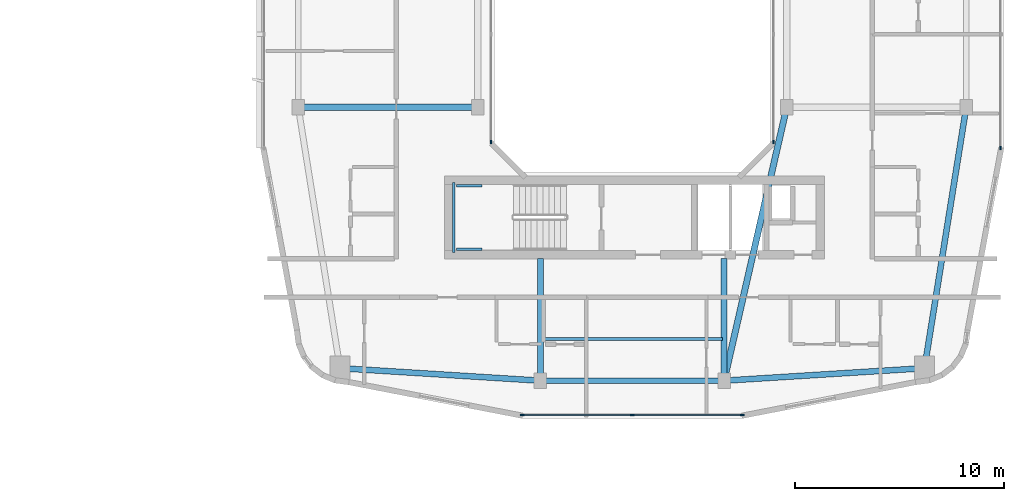
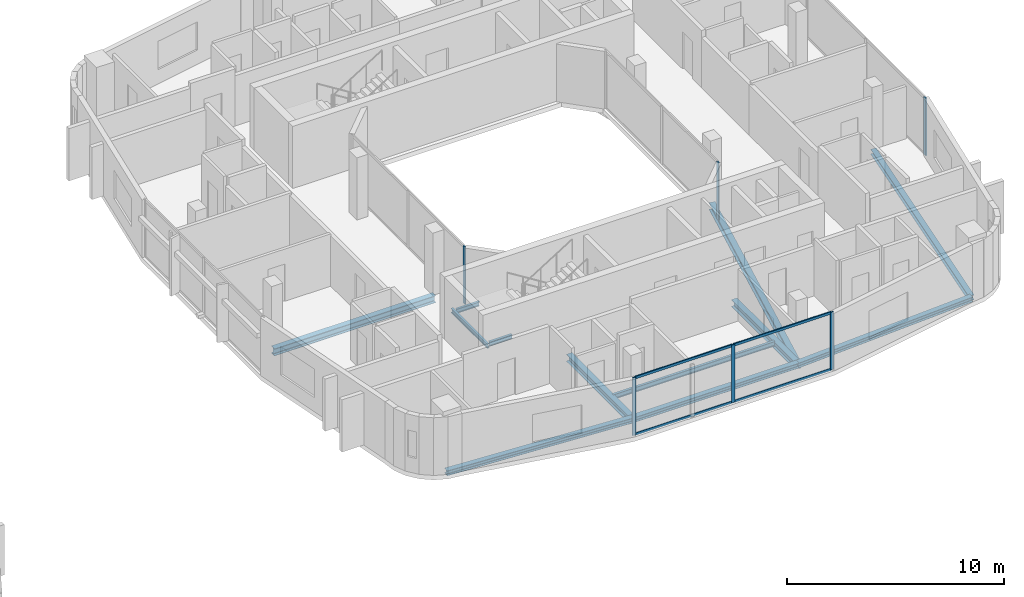
# One storey, part 8 of 26: 12 beams, 10 members, 4 elements without a shape of their own.
"""IFC4 building model written with IfcOpenShell, lengths in metres."""

from ifc_helpers import new_model, si_unit, derived_unit, direction, frame, origin, origin_2d, place, context, subcontext, project, spatial, rectangle, i_section, extrude, material, layer, layer_set, material_profile, profile_set, type_object, element, aggregate, save


model = new_model("IFC4")

# Units and contexts
model_context = context("Model", 3, precision=1e-05, world=origin(), true_north=direction((0.0, 1.0)))
body_context = subcontext(model_context, "Body", "Model", "MODEL_VIEW")
ifc_project = project(units=[si_unit("LENGTHUNIT", "METRE"), si_unit("AREAUNIT", "SQUARE_METRE"), si_unit("VOLUMEUNIT", "CUBIC_METRE"), si_unit("PLANEANGLEUNIT", "RADIAN"), si_unit("MASSUNIT", "GRAM", prefix="KILO"), derived_unit("THERMALTRANSMITTANCEUNIT", [(si_unit("POWERUNIT", "WATT"), 1), (si_unit("LENGTHUNIT", "METRE"), -2), (si_unit("THERMODYNAMICTEMPERATUREUNIT", "KELVIN"), -1)])], contexts=[model_context])

# Site, building, storey
site_placement = place(None, origin())
site = spatial("IfcSite", under=ifc_project, at=site_placement, CompositionType="ELEMENT")
building_placement = place(site_placement, origin())
building = spatial("IfcBuilding", under=site, at=building_placement, Name="Kivonza Crest Hotel", CompositionType="ELEMENT")
storey_placement = place(building_placement, frame((0.0, 0.0, 98.5)))
storey = spatial("IfcBuildingStorey", under=building, at=storey_placement, Name="L26", CompositionType="ELEMENT", Elevation=98.5)

# Beams
ifc_material_1 = material(Name="Steel S355", Category="steel")
ifc_material_profile_1 = material_profile(ifc_material_1, i_section(OverallWidth=0.280029296875, OverallDepth=0.280029296875, WebThickness=0.010498046875, FlangeThickness=0.01806640625, FilletRadius=0.02392578125, at=origin_2d()), Name="HEB 280")
ifc_profile_set_1 = profile_set([ifc_material_profile_1], Name="Steel S355")
beam_type_1 = type_object("IfcBeamType", Name="BM-HEB280", PredefinedType="SPANDREL", material=ifc_profile_set_1)
beam_1_placement = place(storey_placement, frame((72.60009765625, 8.39990234375, -0.389892578125), z_axis=(1.0, 0.0, 0.0), x_axis=(0.0, 1.0, 0.0)))
element("IfcBeam", 1, at=beam_1_placement, inside=storey, type_object=beam_type_1, Name="Companion Tower T2 L26 perimeter spandrel S1-S2", PredefinedType="SPANDREL", context=body_context, shape_type="SweptSolid", body=[
    extrude(i_section(OverallWidth=0.280029296875, OverallDepth=0.280029296875, WebThickness=0.010498046875, FlangeThickness=0.01806640625, FilletRadius=0.02392578125, at=origin_2d()), origin(), (0.0, 0.0, 1.0), 8.7998046875),
])
beam_2_placement = place(storey_placement, frame((81.39990234375, 8.39990234375, -0.389892578125), z_axis=(0.998051985873, 0.062387767186, 0.0), x_axis=(-0.062387767186, 0.998051985873, 0.0)))
element("IfcBeam", 2, at=beam_2_placement, inside=storey, type_object=beam_type_1, Name="Companion Tower T2 L26 perimeter spandrel S2-SE", PredefinedType="SPANDREL", context=body_context, shape_type="SweptSolid", body=[
    extrude(i_section(OverallWidth=0.280029296875, OverallDepth=0.280029296875, WebThickness=0.010498046875, FlangeThickness=0.01806640625, FilletRadius=0.02392578125, at=origin_2d()), origin(), (0.0, 0.0, 1.0), 9.618896484375),
])
beam_3_placement = place(storey_placement, frame((91.0, 9.0, -0.389892578125), z_axis=(0.157990501107, 0.987440631917, 0.0), x_axis=(-0.987440631917, 0.157990501107, 0.0)))
element("IfcBeam", 3, at=beam_3_placement, inside=storey, type_object=beam_type_1, Name="Companion Tower T2 L26 perimeter spandrel SE-E1", PredefinedType="SPANDREL", context=body_context, shape_type="SweptSolid", body=[
    extrude(i_section(OverallWidth=0.280029296875, OverallDepth=0.280029296875, WebThickness=0.010498046875, FlangeThickness=0.01806640625, FilletRadius=0.02392578125, at=origin_2d()), origin(), (0.0, 0.0, 1.0), 12.658935546875),
])
beam_4_placement = place(storey_placement, frame((63.0, 9.0, -0.389892578125), z_axis=(0.998051985873, -0.062387767186, 0.0), x_axis=(0.062387767186, 0.998051985873, 0.0)))
element("IfcBeam", 4, at=beam_4_placement, inside=storey, type_object=beam_type_1, Name="Companion Tower T2 L26 perimeter spandrel SW-S1", PredefinedType="SPANDREL", context=body_context, shape_type="SweptSolid", body=[
    extrude(i_section(OverallWidth=0.280029296875, OverallDepth=0.280029296875, WebThickness=0.010498046875, FlangeThickness=0.01806640625, FilletRadius=0.02392578125, at=origin_2d()), origin(), (0.0, 0.0, 1.0), 9.618896484375),
])
ifc_material_profile_2 = material_profile(ifc_material_1, i_section(OverallWidth=0.300048828125, OverallDepth=0.39990234375, WebThickness=0.013427734375, FlangeThickness=0.02392578125, FilletRadius=0.027099609375, at=origin_2d()), Name="HEB 400")
ifc_profile_set_2 = profile_set([ifc_material_profile_2], Name="Steel S355")
beam_type_2 = type_object("IfcBeamType", Name="BM-HEB400", PredefinedType="BEAM", material=ifc_profile_set_2)
beam_5_placement = place(storey_placement, frame((61.0, 21.5, -0.449951171875), z_axis=(1.0, 0.0, 0.0), x_axis=(0.0, 1.0, 0.0)))
element("IfcBeam", 5, at=beam_5_placement, inside=storey, type_object=beam_type_2, Name="Companion Tower T2 L26 girder W1-WL1", PredefinedType="BEAM", context=body_context, shape_type="SweptSolid", body=[
    extrude(i_section(OverallWidth=0.300048828125, OverallDepth=0.39990234375, WebThickness=0.013427734375, FlangeThickness=0.02392578125, FilletRadius=0.027099609375, at=origin_2d()), origin(), (0.0, 0.0, 1.0), 8.60009765625),
])
beam_6_placement = place(storey_placement, frame((84.39990234375, 21.5, -0.449951171875), z_axis=(-0.223227287589, -0.974766422317, 0.0), x_axis=(0.974766422317, -0.223227287589, 0.0)))
element("IfcBeam", 6, at=beam_6_placement, inside=storey, type_object=beam_type_2, Name="Companion Tower T2 L26 girder WR1-S2", PredefinedType="BEAM", context=body_context, shape_type="SweptSolid", body=[
    extrude(i_section(OverallWidth=0.300048828125, OverallDepth=0.39990234375, WebThickness=0.013427734375, FlangeThickness=0.02392578125, FilletRadius=0.027099609375, at=origin_2d()), origin(), (0.0, 0.0, 1.0), 13.439208984375),
])
for number, where, z_axis, x_axis, name in (
    (7, (72.60009765625, 8.39990234375, -0.449951171875), (0.0, 1.0, 0.0), (-1.0, 0.0, 0.0), "Companion T2 L26 radial core girder RS1"),
    (8, (81.39990234375, 8.39990234375, -0.449951171875), (0.0, 1.0, 0.0), (-1.0, 0.0, 0.0), "Companion T2 L26 radial core girder RS2"),
):
    element("IfcBeam", number, at=place(storey_placement, frame(where, z_axis=z_axis, x_axis=x_axis)), inside=storey, type_object=beam_type_2, Name=name, PredefinedType="BEAM", context=body_context, shape_type="SweptSolid", body=[
        extrude(i_section(OverallWidth=0.300048828125, OverallDepth=0.39990234375, WebThickness=0.013427734375, FlangeThickness=0.02392578125, FilletRadius=0.027099609375, at=origin_2d()), origin(), (0.0, 0.0, 1.0), 5.85009765625),
    ])
ifc_material_profile_3 = material_profile(ifc_material_1, i_section(OverallWidth=0.135009765625, OverallDepth=0.27001953125, WebThickness=0.006591796875, FlangeThickness=0.01025390625, FilletRadius=0.014892578125, at=origin_2d()), Name="IPE 270")
ifc_profile_set_3 = profile_set([ifc_material_profile_3], Name="Steel S355")
beam_type_3 = type_object("IfcBeamType", Name="BM-IPE270", PredefinedType="JOIST", material=ifc_profile_set_3)
beam_7_placement = place(storey_placement, frame((72.679931640625, 10.39990234375, -0.385009765625), z_axis=(1.0, 0.0, 0.0), x_axis=(0.0, 1.0, 0.0)))
element("IfcBeam", 9, at=beam_7_placement, inside=storey, type_object=beam_type_3, Name="Companion Tower T2 L26 South floor joist", PredefinedType="JOIST", context=body_context, shape_type="SweptSolid", body=[
    extrude(i_section(OverallWidth=0.135009765625, OverallDepth=0.27001953125, WebThickness=0.006591796875, FlangeThickness=0.01025390625, FilletRadius=0.014892578125, at=origin_2d()), origin(), (0.0, 0.0, 1.0), 8.64013671875),
])
ifc_material_profile_4 = material_profile(ifc_material_1, i_section(OverallWidth=0.1201171875, OverallDepth=0.239990234375, WebThickness=0.006103515625, FlangeThickness=0.009765625, FilletRadius=0.014892578125, at=origin_2d()), Name="IPE 240")
ifc_profile_set_4 = profile_set([ifc_material_profile_4], Name="Steel S355")
beam_type_4 = type_object("IfcBeamType", Name="BM-LLDG-240", PredefinedType="BEAM", material=ifc_profile_set_4)
beam_8_placement = place(storey_placement, frame((68.4599609375, 14.5400390625, 1.429931640625), z_axis=(0.0, 1.0, 0.0), x_axis=(-1.0, 0.0, 0.0)))
element("IfcBeam", 10, at=beam_8_placement, inside=storey, type_object=beam_type_4, Name="Stair ST-T2-S L26 West landing corbel", PredefinedType="BEAM", context=body_context, shape_type="SweptSolid", body=[
    extrude(i_section(OverallWidth=0.1201171875, OverallDepth=0.239990234375, WebThickness=0.006103515625, FlangeThickness=0.009765625, FilletRadius=0.014892578125, at=origin_2d()), origin(), (0.0, 0.0, 1.0), 3.35986328125),
])
for number, where, z_axis, x_axis, name in (
    (11, (68.590087890625, 14.699951171875, 1.429931640625), (1.0, 0.0, 0.0), (0.0, 1.0, 0.0), "Stair ST-T2-S L26 South landing corbel"),
    (12, (68.590087890625, 17.739990234375, 1.429931640625), (1.0, 0.0, 0.0), (0.0, 1.0, 0.0), "Stair ST-T2-S L26 North landing corbel"),
):
    element("IfcBeam", number, at=place(storey_placement, frame(where, z_axis=z_axis, x_axis=x_axis)), inside=storey, type_object=beam_type_4, Name=name, PredefinedType="BEAM", context=body_context, shape_type="SweptSolid", body=[
        extrude(i_section(OverallWidth=0.1201171875, OverallDepth=0.239990234375, WebThickness=0.006103515625, FlangeThickness=0.009765625, FilletRadius=0.014892578125, at=origin_2d()), origin(), (0.0, 0.0, 1.0), 1.2099609375),
    ])

# Curtain wall, members
ifc_material_2 = material(Name="Anodised bronze aluminium and low-E double glazing", Category="aluminium")
ifc_layer_1 = layer(ifc_material_2, 0.179931640625)
ifc_layer_set_1 = layer_set([ifc_layer_1], Name="Anodised bronze aluminium and low-E double glazing")
curtain_wall_type_1 = type_object("IfcCurtainWallType", Name="CW-SYS-4", PredefinedType="NOTDEFINED", material=ifc_layer_set_1)
curtain_wall_1_placement = place(storey_placement, origin())
curtain_wall_1 = element("IfcCurtainWall", 13, at=curtain_wall_1_placement, inside=storey, type_object=curtain_wall_type_1, Name="L26 unitised curtain wall CW-T2-L26-08", PredefinedType="NOTDEFINED")
ifc_material_3 = material(Name="Anodised bronze aluminium", Category="aluminium")
ifc_material_profile_5 = material_profile(ifc_material_3, rectangle(XDim=0.06494140625, YDim=0.179931640625, at=origin_2d()), Name="CW-M 65x180")
ifc_profile_set_5 = profile_set([ifc_material_profile_5], Name="Anodised bronze aluminium")
member_type_1 = type_object("IfcMemberType", Name="CW-MUL-65x180", PredefinedType="MULLION", material=ifc_profile_set_5)
member_1_placement = place(storey_placement, frame((71.732421875, 6.760009765625, 0.0), z_axis=(0.0, 0.0, 1.0), x_axis=(0.0, 1.0, 0.0)))
member_1 = element("IfcMember", 14, at=member_1_placement, type_object=member_type_1, Name="CW-4 mullion 1", PredefinedType="MULLION", context=body_context, shape_type="SweptSolid", body=[
    extrude(rectangle(XDim=0.06494140625, YDim=0.179931640625, at=origin_2d()), origin(), (0.0, 0.0, 1.0), 3.25),
])
member_2_placement = place(storey_placement, frame((77.0, 6.760009765625, 0.0), z_axis=(0.0, 0.0, 1.0), x_axis=(0.0, 1.0, 0.0)))
member_2 = element("IfcMember", 15, at=member_2_placement, type_object=member_type_1, Name="CW-4 mullion 2", PredefinedType="MULLION", context=body_context, shape_type="SweptSolid", body=[
    extrude(rectangle(XDim=0.06494140625, YDim=0.179931640625, at=origin_2d()), origin(), (0.0, 0.0, 1.0), 3.25),
])
member_3_placement = place(storey_placement, frame((82.267578125, 6.760009765625, 0.0), z_axis=(0.0, 0.0, 1.0), x_axis=(0.0, 1.0, 0.0)))
member_3 = element("IfcMember", 16, at=member_3_placement, type_object=member_type_1, Name="CW-4 mullion 3", PredefinedType="MULLION", context=body_context, shape_type="SweptSolid", body=[
    extrude(rectangle(XDim=0.06494140625, YDim=0.179931640625, at=origin_2d()), origin(), (0.0, 0.0, 1.0), 3.25),
])

# Curtain wall, member
curtain_wall_2_placement = place(storey_placement, origin())
curtain_wall_2 = element("IfcCurtainWall", 17, at=curtain_wall_2_placement, inside=storey, type_object=curtain_wall_type_1, Name="L26 unitised curtain wall CW-T2-L26-17", PredefinedType="NOTDEFINED")
member_4_placement = place(storey_placement, frame((94.639892578125, 19.552490234375, 0.0), z_axis=(0.0, 0.0, 1.0), x_axis=(-1.0, 0.0, 0.0)))
member_4 = element("IfcMember", 18, at=member_4_placement, type_object=member_type_1, Name="CW-4 mullion 1", PredefinedType="MULLION", context=body_context, shape_type="SweptSolid", body=[
    extrude(rectangle(XDim=0.06494140625, YDim=0.179931640625, at=origin_2d()), origin(), (0.0, 0.0, 1.0), 3.25),
])
aggregate(curtain_wall_2, [member_4])

ifc_layer_2 = layer(ifc_material_2, 0.159912109375)
ifc_layer_set_2 = layer_set([ifc_layer_2], Name="Anodised bronze aluminium and low-E double glazing")
curtain_wall_type_2 = type_object("IfcCurtainWallType", Name="CW-SYS-5", PredefinedType="NOTDEFINED", material=ifc_layer_set_2)
curtain_wall_3_placement = place(storey_placement, origin())
curtain_wall_3 = element("IfcCurtainWall", 19, at=curtain_wall_3_placement, inside=storey, type_object=curtain_wall_type_2, Name="L26 unitised curtain wall CW-WELL-T2-L26-3", PredefinedType="NOTDEFINED")
member_5_placement = place(storey_placement, frame((83.760009765625, 19.83251953125, 0.0), z_axis=(0.0, 0.0, 1.0), x_axis=(-1.0, 0.0, 0.0)))
member_5 = element("IfcMember", 20, at=member_5_placement, type_object=member_type_1, Name="CW-5 mullion 1", PredefinedType="MULLION", context=body_context, shape_type="SweptSolid", body=[
    extrude(rectangle(XDim=0.06494140625, YDim=0.179931640625, at=origin_2d()), origin(), (0.0, 0.0, 1.0), 3.25),
])
aggregate(curtain_wall_3, [member_5])

curtain_wall_4_placement = place(storey_placement, origin())
curtain_wall_4 = element("IfcCurtainWall", 21, at=curtain_wall_4_placement, inside=storey, type_object=curtain_wall_type_2, Name="L26 unitised curtain wall CW-WELL-T2-L26-7", PredefinedType="NOTDEFINED")
member_6_placement = place(storey_placement, frame((70.239990234375, 19.83251953125, 0.0), z_axis=(0.0, 0.0, 1.0), x_axis=(1.0, 0.0, 0.0)))
member_6 = element("IfcMember", 22, at=member_6_placement, type_object=member_type_1, Name="CW-5 mullion 3", PredefinedType="MULLION", context=body_context, shape_type="SweptSolid", body=[
    extrude(rectangle(XDim=0.06494140625, YDim=0.179931640625, at=origin_2d()), origin(), (0.0, 0.0, 1.0), 3.25),
])
aggregate(curtain_wall_4, [member_6])

# Member
ifc_material_profile_6 = material_profile(ifc_material_3, rectangle(XDim=0.06494140625, YDim=0.139892578125, at=origin_2d()), Name="CW-T 65x140")
ifc_profile_set_6 = profile_set([ifc_material_profile_6], Name="Anodised bronze aluminium")
member_type_2 = type_object("IfcMemberType", Name="CW-TRN-65x140", PredefinedType="USERDEFINED", material=ifc_profile_set_6)
member_7_placement = place(storey_placement, frame((71.764892578125, 6.760009765625, 0.032470703125), z_axis=(1.0, 0.0, 0.0), x_axis=(0.0, 1.0, 0.0)))
member_7 = element("IfcMember", 23, at=member_7_placement, type_object=member_type_2, Name="CW-4 transom 1.1", ObjectType="TRANSOM", PredefinedType="USERDEFINED", context=body_context, shape_type="SweptSolid", body=[
    extrude(rectangle(XDim=0.06494140625, YDim=0.139892578125, at=origin_2d()), origin(), (0.0, 0.0, 1.0), 5.20263671875),
])

member_8_placement = place(storey_placement, frame((71.764892578125, 6.760009765625, 3.217529296875), z_axis=(1.0, 0.0, 0.0), x_axis=(0.0, 1.0, 0.0)))
member_8 = element("IfcMember", 24, at=member_8_placement, type_object=member_type_2, Name="CW-4 transom 1.2", ObjectType="TRANSOM", PredefinedType="USERDEFINED", context=body_context, shape_type="SweptSolid", body=[
    extrude(rectangle(XDim=0.06494140625, YDim=0.139892578125, at=origin_2d()), origin(), (0.0, 0.0, 1.0), 5.20263671875),
])

member_9_placement = place(storey_placement, frame((77.032470703125, 6.760009765625, 0.032470703125), z_axis=(1.0, 0.0, 0.0), x_axis=(0.0, 1.0, 0.0)))
member_9 = element("IfcMember", 25, at=member_9_placement, type_object=member_type_2, Name="CW-4 transom 2.1", ObjectType="TRANSOM", PredefinedType="USERDEFINED", context=body_context, shape_type="SweptSolid", body=[
    extrude(rectangle(XDim=0.06494140625, YDim=0.139892578125, at=origin_2d()), origin(), (0.0, 0.0, 1.0), 5.20263671875),
])

member_10_placement = place(storey_placement, frame((77.032470703125, 6.760009765625, 3.217529296875), z_axis=(1.0, 0.0, 0.0), x_axis=(0.0, 1.0, 0.0)))
member_10 = element("IfcMember", 26, at=member_10_placement, type_object=member_type_2, Name="CW-4 transom 2.2", ObjectType="TRANSOM", PredefinedType="USERDEFINED", context=body_context, shape_type="SweptSolid", body=[
    extrude(rectangle(XDim=0.06494140625, YDim=0.139892578125, at=origin_2d()), origin(), (0.0, 0.0, 1.0), 5.20263671875),
])

aggregate(curtain_wall_1, [member_1, member_2, member_3, member_7, member_8, member_9, member_10])

save(model, "model.ifc")
